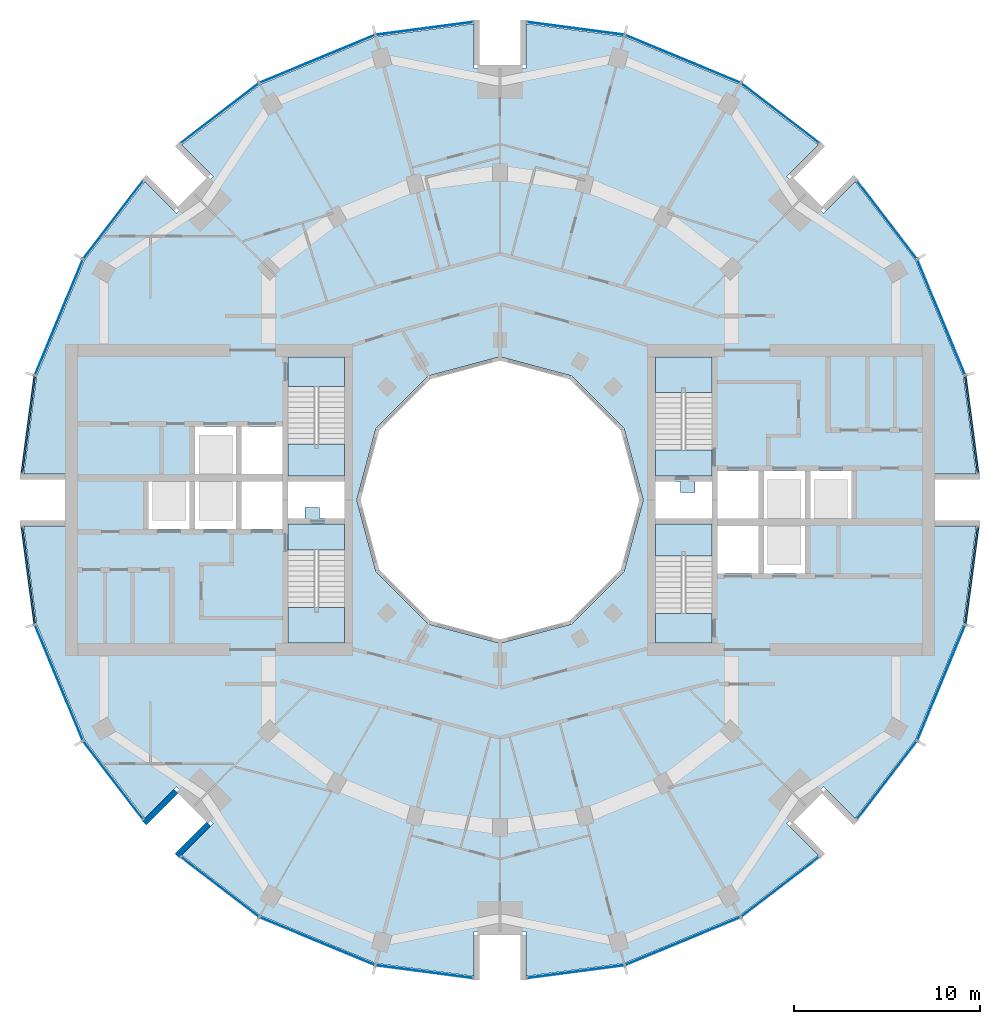
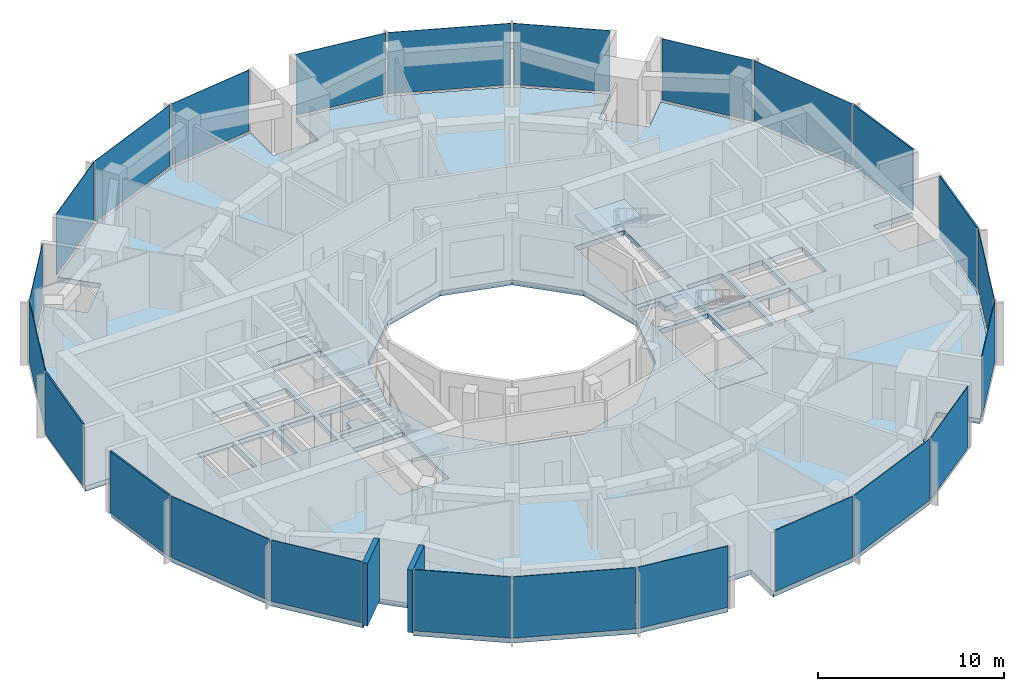
# One storey, part 7 of 15: 24 plates, 9 slabs, 2 walls, 28 elements without a shape of their own.
"""IFC4 building model written with IfcOpenShell, lengths in metres."""

from ifc_helpers import new_model, si_unit, direction, frame, frame_2d, origin, origin_2d, place, context, subcontext, project, spatial, polyline, rectangle, outline, extrude, material, layer, layer_set, type_object, element, aggregate, save


model = new_model("IFC4")

# Units and contexts
model_context = context("Model", 3, precision=1e-05, world=origin(), true_north=direction((0.0, 1.0)))
body_context = subcontext(model_context, "Body", "Model", "MODEL_VIEW")
ifc_project = project(units=[si_unit("LENGTHUNIT", "METRE"), si_unit("AREAUNIT", "SQUARE_METRE"), si_unit("VOLUMEUNIT", "CUBIC_METRE"), si_unit("PLANEANGLEUNIT", "RADIAN"), si_unit("MASSUNIT", "GRAM", prefix="KILO")], contexts=[model_context])

# Site, building, storey
site_placement = place(None, origin())
site = spatial("IfcSite", under=ifc_project, at=site_placement, CompositionType="ELEMENT")
building_placement = place(site_placement, origin())
building = spatial("IfcBuilding", under=site, at=building_placement, Name="Torre Brocal", CompositionType="ELEMENT")
storey_placement = place(building_placement, frame((0.0, 0.0, 202.800048828125)))
storey = spatial("IfcBuildingStorey", under=building, at=storey_placement, Name="L47", CompositionType="ELEMENT", Elevation=202.800048828125)

# Curtain wall, plate
ifc_material_1 = material(Name="Aluminium and glass", Category="aluminium")
ifc_layer_1 = layer(ifc_material_1, 0.199951171875)
ifc_layer_set_1 = layer_set([ifc_layer_1], Name="Aluminium and glass")
curtain_wall_type_1 = type_object("IfcCurtainWallType", Name="CW-1 CURTAIN WALL 4100 HIGH", PredefinedType="NOTDEFINED", material=ifc_layer_set_1)
curtain_wall_1_placement = place(storey_placement, origin())
curtain_wall_1 = element("IfcCurtainWall", 1, at=curtain_wall_1_placement, inside=storey, type_object=curtain_wall_type_1, Name="CW-1 RUN 2", PredefinedType="NOTDEFINED")
ifc_material_2 = material(Name="Glass, dark tinted laminated", Category="glass")
ifc_layer_2 = layer(ifc_material_2, 0.031982421875)
ifc_layer_set_2 = layer_set([ifc_layer_2], Name="Glass, dark tinted laminated")
plate_type_1 = type_object("IfcPlateType", Name="CW-1 GLASS PANEL 32", PredefinedType="CURTAIN_PANEL", material=ifc_layer_set_2)
plate_1_placement = place(storey_placement, frame((103.722900390625, 84.826416015625, 0.079833984375), z_axis=(0.0, 0.0, 1.0), x_axis=(-0.382683432333, 0.923879532525, 0.0)))
plate_1 = element("IfcPlate", 2, at=plate_1_placement, type_object=plate_type_1, Name="CW1-4 panel 1.1", PredefinedType="CURTAIN_PANEL", context=body_context, shape_type="SweptSolid", body=[
    extrude(rectangle(XDim=6.64111328125, YDim=0.031982421875, at=origin_2d()), origin(), (0.0, 0.0, 1.0), 4.02001953125),
])
aggregate(curtain_wall_1, [plate_1])

curtain_wall_2_placement = place(storey_placement, origin())
curtain_wall_2 = element("IfcCurtainWall", 3, at=curtain_wall_2_placement, inside=storey, type_object=curtain_wall_type_1, Name="CW-1 RUN 3", PredefinedType="NOTDEFINED")
plate_2_placement = place(storey_placement, frame((100.80126953125, 90.0712890625, 0.079833984375), z_axis=(0.0, 0.0, 1.0), x_axis=(-0.60876142905, 0.793353340259, 0.0)))
plate_2 = element("IfcPlate", 4, at=plate_2_placement, type_object=plate_type_1, Name="CW1-4 panel 1.1", PredefinedType="CURTAIN_PANEL", context=body_context, shape_type="SweptSolid", body=[
    extrude(rectangle(XDim=5.22900390625, YDim=0.031982421875, at=origin_2d()), origin(), (0.0, 0.0, 1.0), 4.02001953125),
])
aggregate(curtain_wall_2, [plate_2])

curtain_wall_3_placement = place(storey_placement, origin())
curtain_wall_3 = element("IfcCurtainWall", 5, at=curtain_wall_3_placement, inside=storey, type_object=curtain_wall_type_1, Name="CW-1 RUN 4", PredefinedType="NOTDEFINED")
plate_3_placement = place(storey_placement, frame((95.0712890625, 95.80126953125, 0.079833984375), z_axis=(0.0, 0.0, 1.0), x_axis=(-0.793353340259, 0.60876142905, 0.0)))
plate_3 = element("IfcPlate", 6, at=plate_3_placement, type_object=plate_type_1, Name="CW1-4 panel 1.1", PredefinedType="CURTAIN_PANEL", context=body_context, shape_type="SweptSolid", body=[
    extrude(rectangle(XDim=5.22900390625, YDim=0.031982421875, at=origin_2d()), origin(), (0.0, 0.0, 1.0), 4.02001953125),
])
aggregate(curtain_wall_3, [plate_3])

curtain_wall_4_placement = place(storey_placement, origin())
curtain_wall_4 = element("IfcCurtainWall", 7, at=curtain_wall_4_placement, inside=storey, type_object=curtain_wall_type_1, Name="CW-1 RUN 5", PredefinedType="NOTDEFINED")
plate_4_placement = place(storey_placement, frame((89.826416015625, 98.722900390625, 0.079833984375), z_axis=(0.0, 0.0, 1.0), x_axis=(-0.923879532525, 0.382683432333, 0.0)))
plate_4 = element("IfcPlate", 8, at=plate_4_placement, type_object=plate_type_1, Name="CW1-4 panel 1.1", PredefinedType="CURTAIN_PANEL", context=body_context, shape_type="SweptSolid", body=[
    extrude(rectangle(XDim=6.64111328125, YDim=0.031982421875, at=origin_2d()), origin(), (0.0, 0.0, 1.0), 4.02001953125),
])
aggregate(curtain_wall_4, [plate_4])

curtain_wall_5_placement = place(storey_placement, origin())
curtain_wall_5 = element("IfcCurtainWall", 9, at=curtain_wall_5_placement, inside=storey, type_object=curtain_wall_type_1, Name="CW-1 RUN 6", PredefinedType="NOTDEFINED")
plate_5_placement = place(storey_placement, frame((84.051513671875, 100.36572265625, 0.079833984375), z_axis=(0.0, 0.0, 1.0), x_axis=(-0.991444861374, 0.13052619222, 0.0)))
plate_5 = element("IfcPlate", 10, at=plate_5_placement, type_object=plate_type_1, Name="CW1-4 panel 1.1", PredefinedType="CURTAIN_PANEL", context=body_context, shape_type="SweptSolid", body=[
    extrude(rectangle(XDim=5.22900390625, YDim=0.031982421875, at=origin_2d()), origin(), (0.0, 0.0, 1.0), 4.02001953125),
])
aggregate(curtain_wall_5, [plate_5])

curtain_wall_6_placement = place(storey_placement, origin())
curtain_wall_6 = element("IfcCurtainWall", 11, at=curtain_wall_6_placement, inside=storey, type_object=curtain_wall_type_1, Name="CW-1 RUN 7", PredefinedType="NOTDEFINED")
plate_6_placement = place(storey_placement, frame((75.948486328125, 100.36572265625, 0.079833984375), z_axis=(0.0, 0.0, 1.0), x_axis=(-0.991444861374, -0.13052619222, 0.0)))
plate_6 = element("IfcPlate", 12, at=plate_6_placement, type_object=plate_type_1, Name="CW1-4 panel 1.1", PredefinedType="CURTAIN_PANEL", context=body_context, shape_type="SweptSolid", body=[
    extrude(rectangle(XDim=5.22900390625, YDim=0.031982421875, at=origin_2d()), origin(), (0.0, 0.0, 1.0), 4.02001953125),
])
aggregate(curtain_wall_6, [plate_6])

curtain_wall_7_placement = place(storey_placement, origin())
curtain_wall_7 = element("IfcCurtainWall", 13, at=curtain_wall_7_placement, inside=storey, type_object=curtain_wall_type_1, Name="CW-1 RUN 8", PredefinedType="NOTDEFINED")
plate_7_placement = place(storey_placement, frame((70.173583984375, 98.722900390625, 0.079833984375), z_axis=(0.0, 0.0, 1.0), x_axis=(-0.923879532525, -0.382683432333, 0.0)))
plate_7 = element("IfcPlate", 14, at=plate_7_placement, type_object=plate_type_1, Name="CW1-4 panel 1.1", PredefinedType="CURTAIN_PANEL", context=body_context, shape_type="SweptSolid", body=[
    extrude(rectangle(XDim=6.64111328125, YDim=0.031982421875, at=origin_2d()), origin(), (0.0, 0.0, 1.0), 4.02001953125),
])
aggregate(curtain_wall_7, [plate_7])

curtain_wall_8_placement = place(storey_placement, origin())
curtain_wall_8 = element("IfcCurtainWall", 15, at=curtain_wall_8_placement, inside=storey, type_object=curtain_wall_type_1, Name="CW-1 RUN 9", PredefinedType="NOTDEFINED")
plate_8_placement = place(storey_placement, frame((64.9287109375, 95.80126953125, 0.079833984375), z_axis=(0.0, 0.0, 1.0), x_axis=(-0.793353340259, -0.60876142905, 0.0)))
plate_8 = element("IfcPlate", 16, at=plate_8_placement, type_object=plate_type_1, Name="CW1-4 panel 1.1", PredefinedType="CURTAIN_PANEL", context=body_context, shape_type="SweptSolid", body=[
    extrude(rectangle(XDim=5.22900390625, YDim=0.031982421875, at=origin_2d()), origin(), (0.0, 0.0, 1.0), 4.02001953125),
])
aggregate(curtain_wall_8, [plate_8])

curtain_wall_9_placement = place(storey_placement, origin())
curtain_wall_9 = element("IfcCurtainWall", 17, at=curtain_wall_9_placement, inside=storey, type_object=curtain_wall_type_1, Name="CW-1 RUN 10", PredefinedType="NOTDEFINED")
plate_9_placement = place(storey_placement, frame((59.19873046875, 90.0712890625, 0.079833984375), z_axis=(0.0, 0.0, 1.0), x_axis=(-0.60876142905, -0.793353340259, 0.0)))
plate_9 = element("IfcPlate", 18, at=plate_9_placement, type_object=plate_type_1, Name="CW1-4 panel 1.1", PredefinedType="CURTAIN_PANEL", context=body_context, shape_type="SweptSolid", body=[
    extrude(rectangle(XDim=5.22900390625, YDim=0.031982421875, at=origin_2d()), origin(), (0.0, 0.0, 1.0), 4.02001953125),
])
aggregate(curtain_wall_9, [plate_9])

curtain_wall_10_placement = place(storey_placement, origin())
curtain_wall_10 = element("IfcCurtainWall", 19, at=curtain_wall_10_placement, inside=storey, type_object=curtain_wall_type_1, Name="CW-1 RUN 11", PredefinedType="NOTDEFINED")
plate_10_placement = place(storey_placement, frame((56.277099609375, 84.826416015625, 0.079833984375), z_axis=(0.0, 0.0, 1.0), x_axis=(-0.382683432333, -0.923879532525, 0.0)))
plate_10 = element("IfcPlate", 20, at=plate_10_placement, type_object=plate_type_1, Name="CW1-4 panel 1.1", PredefinedType="CURTAIN_PANEL", context=body_context, shape_type="SweptSolid", body=[
    extrude(rectangle(XDim=6.64111328125, YDim=0.031982421875, at=origin_2d()), origin(), (0.0, 0.0, 1.0), 4.02001953125),
])
aggregate(curtain_wall_10, [plate_10])

curtain_wall_11_placement = place(storey_placement, origin())
curtain_wall_11 = element("IfcCurtainWall", 21, at=curtain_wall_11_placement, inside=storey, type_object=curtain_wall_type_1, Name="CW-1 RUN 14", PredefinedType="NOTDEFINED")
plate_11_placement = place(storey_placement, frame((56.277099609375, 65.173583984375, 0.079833984375), z_axis=(0.0, 0.0, 1.0), x_axis=(0.382683432333, -0.923879532525, 0.0)))
plate_11 = element("IfcPlate", 22, at=plate_11_placement, type_object=plate_type_1, Name="CW1-4 panel 1.1", PredefinedType="CURTAIN_PANEL", context=body_context, shape_type="SweptSolid", body=[
    extrude(rectangle(XDim=6.64111328125, YDim=0.031982421875, at=origin_2d()), origin(), (0.0, 0.0, 1.0), 4.02001953125),
])
aggregate(curtain_wall_11, [plate_11])

curtain_wall_12_placement = place(storey_placement, origin())
curtain_wall_12 = element("IfcCurtainWall", 23, at=curtain_wall_12_placement, inside=storey, type_object=curtain_wall_type_1, Name="CW-1 RUN 15", PredefinedType="NOTDEFINED")
plate_12_placement = place(storey_placement, frame((59.19873046875, 59.9287109375, 0.079833984375), z_axis=(0.0, 0.0, 1.0), x_axis=(0.60876142905, -0.793353340259, 0.0)))
plate_12 = element("IfcPlate", 24, at=plate_12_placement, type_object=plate_type_1, Name="CW1-4 panel 1.1", PredefinedType="CURTAIN_PANEL", context=body_context, shape_type="SweptSolid", body=[
    extrude(rectangle(XDim=5.22900390625, YDim=0.031982421875, at=origin_2d()), origin(), (0.0, 0.0, 1.0), 4.02001953125),
])
aggregate(curtain_wall_12, [plate_12])

curtain_wall_13_placement = place(storey_placement, origin())
curtain_wall_13 = element("IfcCurtainWall", 25, at=curtain_wall_13_placement, inside=storey, type_object=curtain_wall_type_1, Name="CW-1 RUN 16", PredefinedType="NOTDEFINED")
plate_13_placement = place(storey_placement, frame((64.9287109375, 54.19873046875, 0.079833984375), z_axis=(0.0, 0.0, 1.0), x_axis=(0.793353340259, -0.60876142905, 0.0)))
plate_13 = element("IfcPlate", 26, at=plate_13_placement, type_object=plate_type_1, Name="CW1-4 panel 1.1", PredefinedType="CURTAIN_PANEL", context=body_context, shape_type="SweptSolid", body=[
    extrude(rectangle(XDim=5.22900390625, YDim=0.031982421875, at=origin_2d()), origin(), (0.0, 0.0, 1.0), 4.02001953125),
])
aggregate(curtain_wall_13, [plate_13])

curtain_wall_14_placement = place(storey_placement, origin())
curtain_wall_14 = element("IfcCurtainWall", 27, at=curtain_wall_14_placement, inside=storey, type_object=curtain_wall_type_1, Name="CW-1 RUN 17", PredefinedType="NOTDEFINED")
plate_14_placement = place(storey_placement, frame((70.173583984375, 51.277099609375, 0.079833984375), z_axis=(0.0, 0.0, 1.0), x_axis=(0.923879532525, -0.382683432333, 0.0)))
plate_14 = element("IfcPlate", 28, at=plate_14_placement, type_object=plate_type_1, Name="CW1-4 panel 1.1", PredefinedType="CURTAIN_PANEL", context=body_context, shape_type="SweptSolid", body=[
    extrude(rectangle(XDim=6.64111328125, YDim=0.031982421875, at=origin_2d()), origin(), (0.0, 0.0, 1.0), 4.02001953125),
])
aggregate(curtain_wall_14, [plate_14])

curtain_wall_15_placement = place(storey_placement, origin())
curtain_wall_15 = element("IfcCurtainWall", 29, at=curtain_wall_15_placement, inside=storey, type_object=curtain_wall_type_1, Name="CW-1 RUN 18", PredefinedType="NOTDEFINED")
plate_15_placement = place(storey_placement, frame((75.948486328125, 49.63427734375, 0.079833984375), z_axis=(0.0, 0.0, 1.0), x_axis=(0.991444861374, -0.13052619222, 0.0)))
plate_15 = element("IfcPlate", 30, at=plate_15_placement, type_object=plate_type_1, Name="CW1-4 panel 1.1", PredefinedType="CURTAIN_PANEL", context=body_context, shape_type="SweptSolid", body=[
    extrude(rectangle(XDim=5.22900390625, YDim=0.031982421875, at=origin_2d()), origin(), (0.0, 0.0, 1.0), 4.02001953125),
])
aggregate(curtain_wall_15, [plate_15])

curtain_wall_16_placement = place(storey_placement, origin())
curtain_wall_16 = element("IfcCurtainWall", 31, at=curtain_wall_16_placement, inside=storey, type_object=curtain_wall_type_1, Name="CW-1 RUN 19", PredefinedType="NOTDEFINED")
plate_16_placement = place(storey_placement, frame((84.051513671875, 49.63427734375, 0.079833984375), z_axis=(0.0, 0.0, 1.0), x_axis=(0.991444861374, 0.13052619222, 0.0)))
plate_16 = element("IfcPlate", 32, at=plate_16_placement, type_object=plate_type_1, Name="CW1-4 panel 1.1", PredefinedType="CURTAIN_PANEL", context=body_context, shape_type="SweptSolid", body=[
    extrude(rectangle(XDim=5.22900390625, YDim=0.031982421875, at=origin_2d()), origin(), (0.0, 0.0, 1.0), 4.02001953125),
])
aggregate(curtain_wall_16, [plate_16])

curtain_wall_17_placement = place(storey_placement, origin())
curtain_wall_17 = element("IfcCurtainWall", 33, at=curtain_wall_17_placement, inside=storey, type_object=curtain_wall_type_1, Name="CW-1 RUN 20", PredefinedType="NOTDEFINED")
plate_17_placement = place(storey_placement, frame((89.826416015625, 51.277099609375, 0.079833984375), z_axis=(0.0, 0.0, 1.0), x_axis=(0.923879532525, 0.382683432333, 0.0)))
plate_17 = element("IfcPlate", 34, at=plate_17_placement, type_object=plate_type_1, Name="CW1-4 panel 1.1", PredefinedType="CURTAIN_PANEL", context=body_context, shape_type="SweptSolid", body=[
    extrude(rectangle(XDim=6.64111328125, YDim=0.031982421875, at=origin_2d()), origin(), (0.0, 0.0, 1.0), 4.02001953125),
])
aggregate(curtain_wall_17, [plate_17])

curtain_wall_18_placement = place(storey_placement, origin())
curtain_wall_18 = element("IfcCurtainWall", 35, at=curtain_wall_18_placement, inside=storey, type_object=curtain_wall_type_1, Name="CW-1 RUN 21", PredefinedType="NOTDEFINED")
plate_18_placement = place(storey_placement, frame((95.0712890625, 54.19873046875, 0.079833984375), z_axis=(0.0, 0.0, 1.0), x_axis=(0.793353340259, 0.60876142905, 0.0)))
plate_18 = element("IfcPlate", 36, at=plate_18_placement, type_object=plate_type_1, Name="CW1-4 panel 1.1", PredefinedType="CURTAIN_PANEL", context=body_context, shape_type="SweptSolid", body=[
    extrude(rectangle(XDim=5.22900390625, YDim=0.031982421875, at=origin_2d()), origin(), (0.0, 0.0, 1.0), 4.02001953125),
])
aggregate(curtain_wall_18, [plate_18])

curtain_wall_19_placement = place(storey_placement, origin())
curtain_wall_19 = element("IfcCurtainWall", 37, at=curtain_wall_19_placement, inside=storey, type_object=curtain_wall_type_1, Name="CW-1 RUN 22", PredefinedType="NOTDEFINED")
plate_19_placement = place(storey_placement, frame((100.80126953125, 59.9287109375, 0.079833984375), z_axis=(0.0, 0.0, 1.0), x_axis=(0.60876142905, 0.793353340259, 0.0)))
plate_19 = element("IfcPlate", 38, at=plate_19_placement, type_object=plate_type_1, Name="CW1-4 panel 1.1", PredefinedType="CURTAIN_PANEL", context=body_context, shape_type="SweptSolid", body=[
    extrude(rectangle(XDim=5.22900390625, YDim=0.031982421875, at=origin_2d()), origin(), (0.0, 0.0, 1.0), 4.02001953125),
])
aggregate(curtain_wall_19, [plate_19])

curtain_wall_20_placement = place(storey_placement, origin())
curtain_wall_20 = element("IfcCurtainWall", 39, at=curtain_wall_20_placement, inside=storey, type_object=curtain_wall_type_1, Name="CW-1 RUN 23", PredefinedType="NOTDEFINED")
plate_20_placement = place(storey_placement, frame((103.722900390625, 65.173583984375, 0.079833984375), z_axis=(0.0, 0.0, 1.0), x_axis=(0.382683432333, 0.923879532525, 0.0)))
plate_20 = element("IfcPlate", 40, at=plate_20_placement, type_object=plate_type_1, Name="CW1-4 panel 1.1", PredefinedType="CURTAIN_PANEL", context=body_context, shape_type="SweptSolid", body=[
    extrude(rectangle(XDim=6.64111328125, YDim=0.031982421875, at=origin_2d()), origin(), (0.0, 0.0, 1.0), 4.02001953125),
])
aggregate(curtain_wall_20, [plate_20])

ifc_material_3 = material(Name="Aluminium and glass", Category="aluminium")
ifc_layer_3 = layer(ifc_material_3, 0.199951171875)
ifc_layer_set_3 = layer_set([ifc_layer_3], Name="Aluminium and glass")
curtain_wall_type_2 = type_object("IfcCurtainWallType", Name="CW-1B CURTAIN WALL 4100 HIGH", PredefinedType="NOTDEFINED", material=ifc_layer_set_3)
curtain_wall_21_placement = place(storey_placement, origin())
curtain_wall_21 = element("IfcCurtainWall", 41, at=curtain_wall_21_placement, inside=storey, type_object=curtain_wall_type_2, Name="CW-1B RUN 1", PredefinedType="NOTDEFINED")
ifc_material_4 = material(Name="Aluminium composite panel", Category="aluminium")
ifc_layer_4 = layer(ifc_material_4, 0.10009765625)
ifc_layer_set_4 = layer_set([ifc_layer_4], Name="Aluminium composite panel")
plate_type_2 = type_object("IfcPlateType", Name="CW-1B OPAQUE PANEL 100", PredefinedType="CURTAIN_PANEL", material=ifc_layer_set_4)
plate_21_placement = place(storey_placement, frame((105.36572265625, 79.051513671875, 0.079833984375), z_axis=(0.0, 0.0, 1.0), x_axis=(-0.13052619222, 0.991444861374, 0.0)))
plate_21 = element("IfcPlate", 42, at=plate_21_placement, type_object=plate_type_2, Name="CW1B-4 panel 1.1", PredefinedType="CURTAIN_PANEL", context=body_context, shape_type="SweptSolid", body=[
    extrude(rectangle(XDim=5.22900390625, YDim=0.10009765625, at=origin_2d()), origin(), (0.0, 0.0, 1.0), 4.02001953125),
])
aggregate(curtain_wall_21, [plate_21])

curtain_wall_22_placement = place(storey_placement, origin())
curtain_wall_22 = element("IfcCurtainWall", 43, at=curtain_wall_22_placement, inside=storey, type_object=curtain_wall_type_2, Name="CW-1B RUN 12", PredefinedType="NOTDEFINED")
plate_22_placement = place(storey_placement, frame((54.63427734375, 79.051513671875, 0.079833984375), z_axis=(0.0, 0.0, 1.0), x_axis=(-0.13052619222, -0.991444861374, 0.0)))
plate_22 = element("IfcPlate", 44, at=plate_22_placement, type_object=plate_type_2, Name="CW1B-4 panel 1.1", PredefinedType="CURTAIN_PANEL", context=body_context, shape_type="SweptSolid", body=[
    extrude(rectangle(XDim=5.22900390625, YDim=0.10009765625, at=origin_2d()), origin(), (0.0, 0.0, 1.0), 4.02001953125),
])
aggregate(curtain_wall_22, [plate_22])

curtain_wall_23_placement = place(storey_placement, origin())
curtain_wall_23 = element("IfcCurtainWall", 45, at=curtain_wall_23_placement, inside=storey, type_object=curtain_wall_type_2, Name="CW-1B RUN 13", PredefinedType="NOTDEFINED")
plate_23_placement = place(storey_placement, frame((54.63427734375, 70.948486328125, 0.079833984375), z_axis=(0.0, 0.0, 1.0), x_axis=(0.13052619222, -0.991444861374, 0.0)))
plate_23 = element("IfcPlate", 46, at=plate_23_placement, type_object=plate_type_2, Name="CW1B-4 panel 1.1", PredefinedType="CURTAIN_PANEL", context=body_context, shape_type="SweptSolid", body=[
    extrude(rectangle(XDim=5.22900390625, YDim=0.10009765625, at=origin_2d()), origin(), (0.0, 0.0, 1.0), 4.02001953125),
])
aggregate(curtain_wall_23, [plate_23])

curtain_wall_24_placement = place(storey_placement, origin())
curtain_wall_24 = element("IfcCurtainWall", 47, at=curtain_wall_24_placement, inside=storey, type_object=curtain_wall_type_2, Name="CW-1B RUN 24", PredefinedType="NOTDEFINED")
plate_24_placement = place(storey_placement, frame((105.36572265625, 70.948486328125, 0.079833984375), z_axis=(0.0, 0.0, 1.0), x_axis=(0.13052619222, 0.991444861374, 0.0)))
plate_24 = element("IfcPlate", 48, at=plate_24_placement, type_object=plate_type_2, Name="CW1B-4 panel 1.1", PredefinedType="CURTAIN_PANEL", context=body_context, shape_type="SweptSolid", body=[
    extrude(rectangle(XDim=5.22900390625, YDim=0.10009765625, at=origin_2d()), origin(), (0.0, 0.0, 1.0), 4.02001953125),
])
aggregate(curtain_wall_24, [plate_24])

# Stair, slab
ifc_material_5 = material(Name="Concrete C50", Category="concrete")
stair_type = type_object("IfcStairType", Name="EXIT STAIR", PredefinedType="HALF_TURN_STAIR", material=ifc_material_5)
stair_1_placement = place(storey_placement, origin())
stair_1 = element("IfcStair", 49, at=stair_1_placement, inside=storey, type_object=stair_type, Name="EXIT STAIR ST1", PredefinedType="HALF_TURN_STAIR")
ifc_material_6 = material(Name="Concrete C50", Category="concrete")
ifc_layer_5 = layer(ifc_material_6, 0.320068359375)
ifc_layer_set_5 = layer_set([ifc_layer_5], Name="Concrete C50")
slab_type_1 = type_object("IfcSlabType", Name="FLOOR LANDING 320", PredefinedType="LANDING", material=ifc_layer_set_5)
slab_1_placement = place(storey_placement, frame((0.0, 0.0, -0.320068359375)))
slab_1 = element("IfcSlab", 50, at=slab_1_placement, type_object=slab_type_1, Name="ST1 landing 1", PredefinedType="LANDING", context=body_context, shape_type="SweptSolid", body=[
    extrude(outline(polyline([(88.35009765625, 76.300048828125), (91.39990234375, 76.300048828125), (91.39990234375, 77.699951171875), (88.35009765625, 77.699951171875), (88.35009765625, 76.300048828125)])), origin(), (0.0, 0.0, 1.0), 0.320068359375),
])

stair_2_placement = place(storey_placement, origin())
stair_2 = element("IfcStair", 51, at=stair_2_placement, inside=storey, type_object=stair_type, Name="EXIT STAIR ST2", PredefinedType="HALF_TURN_STAIR")
slab_2_placement = place(storey_placement, frame((0.0, 0.0, -0.320068359375)))
slab_2 = element("IfcSlab", 52, at=slab_2_placement, type_object=slab_type_1, Name="ST2 landing 1", PredefinedType="LANDING", context=body_context, shape_type="SweptSolid", body=[
    extrude(outline(polyline([(88.35009765625, 67.300048828125), (91.39990234375, 67.300048828125), (91.39990234375, 68.89990234375), (88.35009765625, 68.89990234375), (88.35009765625, 67.300048828125)])), origin(), (0.0, 0.0, 1.0), 0.320068359375),
])

stair_3_placement = place(storey_placement, origin())
stair_3 = element("IfcStair", 53, at=stair_3_placement, inside=storey, type_object=stair_type, Name="EXIT STAIR ST3", PredefinedType="HALF_TURN_STAIR")
slab_3_placement = place(storey_placement, frame((0.0, 0.0, -0.320068359375)))
slab_3 = element("IfcSlab", 54, at=slab_3_placement, type_object=slab_type_1, Name="ST3 landing 1", PredefinedType="LANDING", context=body_context, shape_type="SweptSolid", body=[
    extrude(outline(polyline([(71.64990234375, 73.699951171875), (68.60009765625, 73.699951171875), (68.60009765625, 72.300048828125), (71.64990234375, 72.300048828125), (71.64990234375, 73.699951171875)])), origin(), (0.0, 0.0, 1.0), 0.320068359375),
])

stair_4_placement = place(storey_placement, origin())
stair_4 = element("IfcStair", 55, at=stair_4_placement, inside=storey, type_object=stair_type, Name="EXIT STAIR ST4", PredefinedType="HALF_TURN_STAIR")
slab_4_placement = place(storey_placement, frame((0.0, 0.0, -0.320068359375)))
slab_4 = element("IfcSlab", 56, at=slab_4_placement, type_object=slab_type_1, Name="ST4 landing 1", PredefinedType="LANDING", context=body_context, shape_type="SweptSolid", body=[
    extrude(outline(polyline([(71.64990234375, 82.699951171875), (68.60009765625, 82.699951171875), (68.60009765625, 81.10009765625), (71.64990234375, 81.10009765625), (71.64990234375, 82.699951171875)])), origin(), (0.0, 0.0, 1.0), 0.320068359375),
])

# Slab
ifc_material_7 = material(Name="Concrete C50", Category="concrete")
ifc_layer_6 = layer(ifc_material_7, 0.199951171875)
ifc_layer_set_6 = layer_set([ifc_layer_6], Name="Concrete C50")
slab_type_2 = type_object("IfcSlabType", Name="MID LANDING +2050", PredefinedType="LANDING", material=ifc_layer_set_6)
slab_5_placement = place(storey_placement, frame((0.0, 0.0, 1.849853515625)))
slab_5 = element("IfcSlab", 57, at=slab_5_placement, type_object=slab_type_2, Name="ST1 landing 2", PredefinedType="LANDING", context=body_context, shape_type="SweptSolid", body=[
    extrude(outline(polyline([(88.35009765625, 80.780029296875), (91.39990234375, 80.780029296875), (91.39990234375, 82.699951171875), (88.35009765625, 82.699951171875), (88.35009765625, 80.780029296875)])), origin(), (0.0, 0.0, 1.0), 0.2001953125),
])

aggregate(stair_1, [slab_1, slab_5])

slab_6_placement = place(storey_placement, frame((0.0, 0.0, 1.849853515625)))
slab_6 = element("IfcSlab", 58, at=slab_6_placement, type_object=slab_type_2, Name="ST2 landing 2", PredefinedType="LANDING", context=body_context, shape_type="SweptSolid", body=[
    extrude(outline(polyline([(88.35009765625, 71.97998046875), (91.39990234375, 71.97998046875), (91.39990234375, 73.699951171875), (88.35009765625, 73.699951171875), (88.35009765625, 71.97998046875)])), origin(), (0.0, 0.0, 1.0), 0.2001953125),
])

aggregate(stair_2, [slab_2, slab_6])

slab_7_placement = place(storey_placement, frame((0.0, 0.0, 1.849853515625)))
slab_7 = element("IfcSlab", 59, at=slab_7_placement, type_object=slab_type_2, Name="ST3 landing 2", PredefinedType="LANDING", context=body_context, shape_type="SweptSolid", body=[
    extrude(outline(polyline([(71.64990234375, 69.219970703125), (68.60009765625, 69.219970703125), (68.60009765625, 67.300048828125), (71.64990234375, 67.300048828125), (71.64990234375, 69.219970703125)])), origin(), (0.0, 0.0, 1.0), 0.2001953125),
])

aggregate(stair_3, [slab_3, slab_7])

slab_8_placement = place(storey_placement, frame((0.0, 0.0, 1.849853515625)))
slab_8 = element("IfcSlab", 60, at=slab_8_placement, type_object=slab_type_2, Name="ST4 landing 2", PredefinedType="LANDING", context=body_context, shape_type="SweptSolid", body=[
    extrude(outline(polyline([(71.64990234375, 78.02001953125), (68.60009765625, 78.02001953125), (68.60009765625, 76.300048828125), (71.64990234375, 76.300048828125), (71.64990234375, 78.02001953125)])), origin(), (0.0, 0.0, 1.0), 0.2001953125),
])

aggregate(stair_4, [slab_4, slab_8])

ifc_material_8 = material(Name="Concrete C45", Category="concrete")
ifc_layer_7 = layer(ifc_material_8, 0.320068359375)
ifc_layer_set_7 = layer_set([ifc_layer_7], Name="Concrete C45")
slab_type_3 = type_object("IfcSlabType", Name="PT FLOOR SLAB 320 C45", PredefinedType="FLOOR", material=ifc_layer_set_7)
slab_9_placement = place(storey_placement, frame((0.0, 0.0, -0.320068359375)))
element("IfcSlab", 61, at=slab_9_placement, inside=storey, type_object=slab_type_3, Name="Slab ST-05", PredefinedType="FLOOR", context=body_context, shape_type="SweptSolid", body=[
    extrude(outline(polyline([(103.199951171875, 76.39990234375), (103.199951171875, 73.60009765625), (105.614013671875, 73.60009765625), (104.919189453125, 68.322998046875), (102.342041015625, 62.100830078125), (99.101806640625, 57.878173828125), (97.394775390625, 59.5849609375), (95.4150390625, 57.605224609375), (97.121826171875, 55.898193359375), (92.899169921875, 52.657958984375), (86.677001953125, 50.080810546875), (81.39990234375, 49.385986328125), (81.39990234375, 51.800048828125), (78.60009765625, 51.800048828125), (78.60009765625, 49.385986328125), (73.322998046875, 50.080810546875), (67.100830078125, 52.657958984375), (62.878173828125, 55.898193359375), (64.5849609375, 57.605224609375), (62.605224609375, 59.5849609375), (60.898193359375, 57.878173828125), (57.657958984375, 62.100830078125), (55.080810546875, 68.322998046875), (54.385986328125, 73.60009765625), (56.800048828125, 73.60009765625), (56.800048828125, 76.39990234375), (54.385986328125, 76.39990234375), (55.080810546875, 81.677001953125), (57.657958984375, 87.899169921875), (60.898193359375, 92.121826171875), (62.605224609375, 90.4150390625), (64.5849609375, 92.394775390625), (62.878173828125, 94.101806640625), (67.100830078125, 97.342041015625), (73.322998046875, 99.919189453125), (78.60009765625, 100.614013671875), (78.60009765625, 98.199951171875), (81.39990234375, 98.199951171875), (81.39990234375, 100.614013671875), (86.677001953125, 99.919189453125), (92.899169921875, 97.342041015625), (97.121826171875, 94.101806640625), (95.4150390625, 92.394775390625), (97.394775390625, 90.4150390625), (99.101806640625, 92.121826171875), (102.342041015625, 87.899169921875), (104.919189453125, 81.677001953125), (105.614013671875, 76.39990234375), (103.199951171875, 76.39990234375)]), holes=[polyline([(98.89990234375, 76.550048828125), (96.699951171875, 76.550048828125), (96.699951171875, 74.0), (98.89990234375, 74.0), (98.89990234375, 76.550048828125)]), polyline([(96.39990234375, 76.550048828125), (94.199951171875, 76.550048828125), (94.199951171875, 74.0), (96.39990234375, 74.0), (96.39990234375, 76.550048828125)]), polyline([(96.39990234375, 73.60009765625), (94.199951171875, 73.60009765625), (94.199951171875, 71.050048828125), (96.39990234375, 71.050048828125), (96.39990234375, 73.60009765625)]), polyline([(93.89990234375, 76.550048828125), (91.699951171875, 76.550048828125), (91.699951171875, 74.0), (93.89990234375, 74.0), (93.89990234375, 76.550048828125)]), polyline([(93.89990234375, 73.60009765625), (91.699951171875, 73.60009765625), (91.699951171875, 71.050048828125), (93.89990234375, 71.050048828125), (93.89990234375, 73.60009765625)]), polyline([(89.699951171875, 76.0), (88.35009765625, 76.0), (88.35009765625, 74.0), (91.39990234375, 74.0), (91.39990234375, 76.0), (90.5, 76.0), (90.5, 75.39990234375), (89.699951171875, 75.39990234375), (89.699951171875, 76.0)]), polyline([(91.39990234375, 82.699951171875), (88.35009765625, 82.699951171875), (88.35009765625, 76.300048828125), (91.39990234375, 76.300048828125), (91.39990234375, 82.699951171875)]), polyline([(91.39990234375, 73.699951171875), (88.35009765625, 73.699951171875), (88.35009765625, 67.300048828125), (91.39990234375, 67.300048828125), (91.39990234375, 73.699951171875)]), polyline([(80.0, 82.70703125), (76.146484375, 81.674560546875), (73.325439453125, 78.853515625), (72.29296875, 75.0), (73.325439453125, 71.146484375), (76.146484375, 68.325439453125), (80.0, 67.29296875), (83.853515625, 68.325439453125), (86.674560546875, 71.146484375), (87.70703125, 75.0), (86.674560546875, 78.853515625), (83.853515625, 81.674560546875), (80.0, 82.70703125)]), polyline([(70.300048828125, 74.0), (71.64990234375, 74.0), (71.64990234375, 76.0), (68.60009765625, 76.0), (68.60009765625, 74.0), (69.5, 74.0), (69.5, 74.60009765625), (70.300048828125, 74.60009765625), (70.300048828125, 74.0)]), polyline([(68.60009765625, 76.300048828125), (71.64990234375, 76.300048828125), (71.64990234375, 82.699951171875), (68.60009765625, 82.699951171875), (68.60009765625, 76.300048828125)]), polyline([(68.60009765625, 67.300048828125), (71.64990234375, 67.300048828125), (71.64990234375, 73.699951171875), (68.60009765625, 73.699951171875), (68.60009765625, 67.300048828125)]), polyline([(66.10009765625, 76.39990234375), (68.300048828125, 76.39990234375), (68.300048828125, 78.949951171875), (66.10009765625, 78.949951171875), (66.10009765625, 76.39990234375)]), polyline([(66.10009765625, 73.449951171875), (68.300048828125, 73.449951171875), (68.300048828125, 76.0), (66.10009765625, 76.0), (66.10009765625, 73.449951171875)]), polyline([(63.60009765625, 76.39990234375), (65.800048828125, 76.39990234375), (65.800048828125, 78.949951171875), (63.60009765625, 78.949951171875), (63.60009765625, 76.39990234375)]), polyline([(63.60009765625, 73.449951171875), (65.800048828125, 73.449951171875), (65.800048828125, 76.0), (63.60009765625, 76.0), (63.60009765625, 73.449951171875)]), polyline([(61.10009765625, 73.449951171875), (63.300048828125, 73.449951171875), (63.300048828125, 76.0), (61.10009765625, 76.0), (61.10009765625, 73.449951171875)])]), origin(), (0.0, 0.0, 1.0), 0.320068359375),
])

# Walls
ifc_material_9 = material(Name="Concrete C70", Category="concrete")
ifc_layer_8 = layer(ifc_material_9, 0.300048828125)
ifc_layer_set_8 = layer_set([ifc_layer_8], Name="Concrete C70")
wall_type = type_object("IfcWallType", Name="NOTCH RETURN WALL 300 C70", PredefinedType="NOTDEFINED", material=ifc_layer_set_8)
for number, where, z_axis, x_axis, name in (
    (62, (62.56982421875, 59.337646484375, 0.0), (0.0, 0.0, 1.0), (-0.707106781187, -0.707106781187, 0.0), "NOTCH RETURN WALL"),
    (63, (64.337646484375, 57.56982421875, 0.0), (0.0, 0.0, 1.0), (-0.707106781187, -0.707106781187, 0.0), "NOTCH RETURN WALL"),
):
    element("IfcWall", number, at=place(storey_placement, frame(where, z_axis=z_axis, x_axis=x_axis)), inside=storey, type_object=wall_type, Name=name, PredefinedType="NOTDEFINED", context=body_context, shape_type="SweptSolid", body=[
        extrude(rectangle(XDim=2.415771484375, YDim=0.300048828125, at=frame_2d((1.2080078125, 0.0))), origin(), (0.0, 0.0, 1.0), 4.099853515625),
    ])

save(model, "model.ifc")
